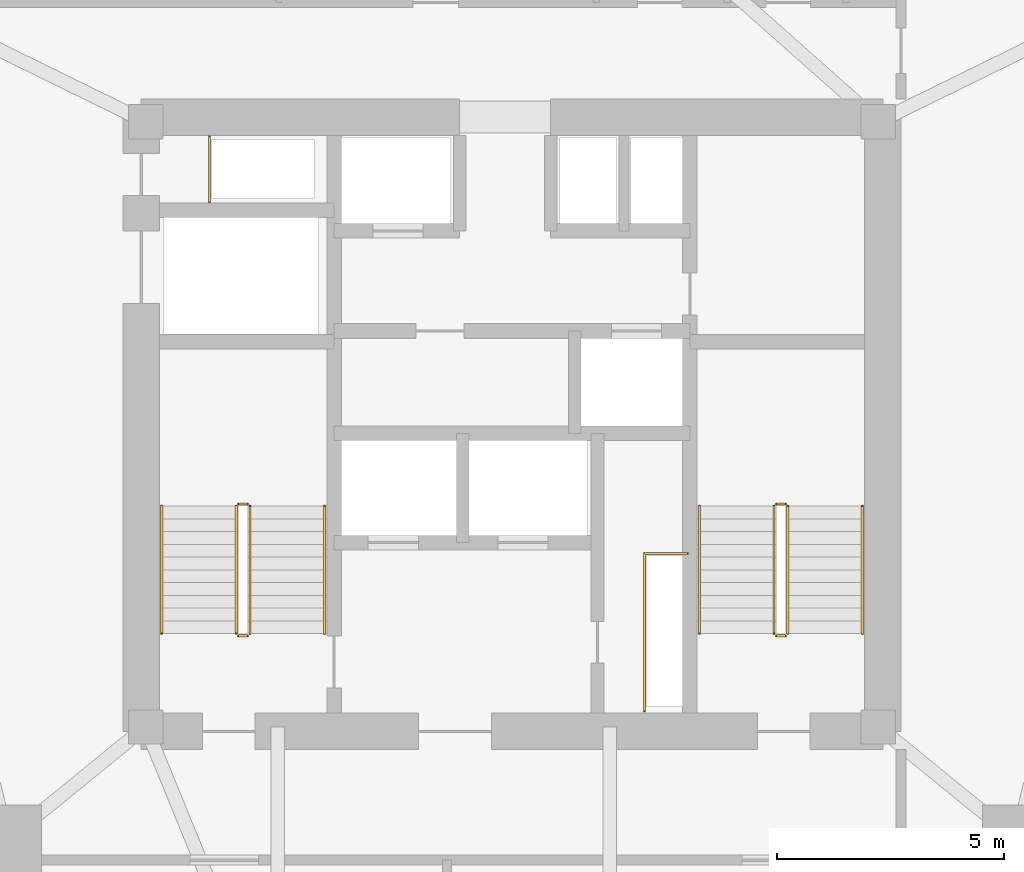
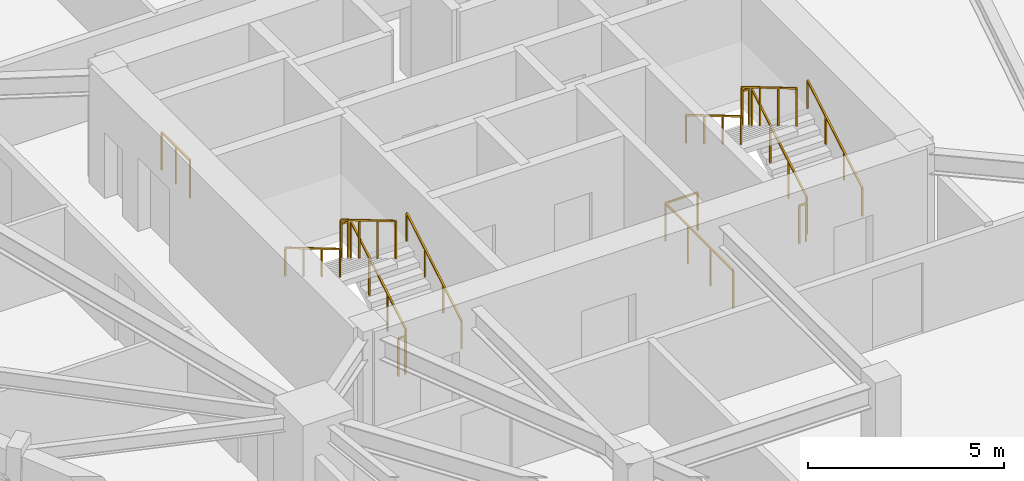
# One storey, part 14 of 14: 14 railings.
"""IFC4 building model written with IfcOpenShell, lengths in metres."""

from ifc_helpers import new_model, si_unit, direction, frame, origin, origin_2d, place, context, subcontext, project, spatial, rectangle, extrude, material, type_object, element, save


model = new_model("IFC4")

# Units and contexts
model_context = context("Model", 3, precision=1e-05, world=origin(), true_north=direction((0.0, 1.0)))
body_context = subcontext(model_context, "Body", "Model", "MODEL_VIEW")
ifc_project = project(units=[si_unit("LENGTHUNIT", "METRE"), si_unit("AREAUNIT", "SQUARE_METRE"), si_unit("VOLUMEUNIT", "CUBIC_METRE"), si_unit("PLANEANGLEUNIT", "RADIAN"), si_unit("MASSUNIT", "GRAM", prefix="KILO")], contexts=[model_context])

# Site, building, storey
site_placement = place(None, origin())
site = spatial("IfcSite", under=ifc_project, at=site_placement, CompositionType="ELEMENT")
building_placement = place(site_placement, origin())
building = spatial("IfcBuilding", under=site, at=building_placement, Name="Talyreon Biosciences Tower", CompositionType="ELEMENT")
storey_placement = place(building_placement, frame((0.0, 0.0, 141.800048828125)))
storey = spatial("IfcBuildingStorey", under=building, at=storey_placement, Name="L37", CompositionType="ELEMENT", Elevation=141.800048828125)

# Railings
ifc_material_1 = material(Name="Brushed stainless-steel tubular handrail", Category="steel")
railing_type_1 = type_object("IfcRailingType", Name="StairWallHandrail_900", PredefinedType="HANDRAIL", material=ifc_material_1)
railing_1_placement = place(storey_placement, frame((61.8798828125, 63.39990234375, 0.165771484375)))
element("IfcRailing", 1, at=railing_1_placement, inside=storey, type_object=railing_type_1, Name="L37 ST-1 stair handrail 1", PredefinedType="HANDRAIL", context=body_context, shape_type="SweptSolid", body=[
    extrude(rectangle(XDim=0.048095703125, YDim=0.048095703125, at=origin_2d()), frame((0.0, 0.0, 0.8759765625), z_axis=(0.0, 0.860306154799, 0.50977771628), x_axis=(-1.0, 0.0, 0.0)), (0.0, 0.0, 1.0), 3.254638671875),
    extrude(rectangle(XDim=0.0419921875, YDim=0.0419921875, at=origin_2d()), origin(), (0.0, 0.0, 1.0), 0.851806640625),
    extrude(rectangle(XDim=0.0419921875, YDim=0.0419921875, at=origin_2d()), frame((0.0, 0.933349609375, 0.552978515625)), (0.0, 0.0, 1.0), 0.851806640625),
    extrude(rectangle(XDim=0.0419921875, YDim=0.0419921875, at=origin_2d()), frame((0.0, 1.86669921875, 1.106201171875)), (0.0, 0.0, 1.0), 0.851806640625),
    extrude(rectangle(XDim=0.0419921875, YDim=0.0419921875, at=origin_2d()), frame((0.0, 2.800048828125, 1.6591796875)), (0.0, 0.0, 1.0), 0.851806640625),
])
railing_2_placement = place(storey_placement, frame((58.300048828125, 66.199951171875, 1.990966796875)))
element("IfcRailing", 2, at=railing_2_placement, inside=storey, type_object=railing_type_1, Name="L37 ST-1 stair handrail 2", PredefinedType="HANDRAIL", context=body_context, shape_type="SweptSolid", body=[
    extrude(rectangle(XDim=0.048095703125, YDim=0.048095703125, at=origin_2d()), frame((0.0, 0.0, 0.8759765625), z_axis=(0.0, -0.860339051648, 0.50972219513), x_axis=(1.0, 0.0, 0.0)), (0.0, 0.0, 1.0), 3.254638671875),
    extrude(rectangle(XDim=0.0419921875, YDim=0.0419921875, at=origin_2d()), origin(), (0.0, 0.0, 1.0), 0.851806640625),
    extrude(rectangle(XDim=0.0419921875, YDim=0.0419921875, at=origin_2d()), frame((0.0, -0.933349609375, 0.552978515625)), (0.0, 0.0, 1.0), 0.851806640625),
    extrude(rectangle(XDim=0.0419921875, YDim=0.0419921875, at=origin_2d()), frame((0.0, -1.86669921875, 1.10595703125)), (0.0, 0.0, 1.0), 0.851806640625),
    extrude(rectangle(XDim=0.0419921875, YDim=0.0419921875, at=origin_2d()), frame((0.0, -2.800048828125, 1.658935546875)), (0.0, 0.0, 1.0), 0.851806640625),
])
railing_3_placement = place(storey_placement, frame((73.699951171875, 63.39990234375, 0.165771484375)))
element("IfcRailing", 3, at=railing_3_placement, inside=storey, type_object=railing_type_1, Name="L37 ST-2 stair handrail 1", PredefinedType="HANDRAIL", context=body_context, shape_type="SweptSolid", body=[
    extrude(rectangle(XDim=0.048095703125, YDim=0.048095703125, at=origin_2d()), frame((0.0, 0.0, 0.8759765625), z_axis=(0.0, 0.860306154799, 0.50977771628), x_axis=(-1.0, 0.0, 0.0)), (0.0, 0.0, 1.0), 3.254638671875),
    extrude(rectangle(XDim=0.0419921875, YDim=0.0419921875, at=origin_2d()), origin(), (0.0, 0.0, 1.0), 0.851806640625),
    extrude(rectangle(XDim=0.0419921875, YDim=0.0419921875, at=origin_2d()), frame((0.0, 0.933349609375, 0.552978515625)), (0.0, 0.0, 1.0), 0.851806640625),
    extrude(rectangle(XDim=0.0419921875, YDim=0.0419921875, at=origin_2d()), frame((0.0, 1.86669921875, 1.106201171875)), (0.0, 0.0, 1.0), 0.851806640625),
    extrude(rectangle(XDim=0.0419921875, YDim=0.0419921875, at=origin_2d()), frame((0.0, 2.800048828125, 1.6591796875)), (0.0, 0.0, 1.0), 0.851806640625),
])
railing_4_placement = place(storey_placement, frame((70.1201171875, 66.199951171875, 1.990966796875)))
element("IfcRailing", 4, at=railing_4_placement, inside=storey, type_object=railing_type_1, Name="L37 ST-2 stair handrail 2", PredefinedType="HANDRAIL", context=body_context, shape_type="SweptSolid", body=[
    extrude(rectangle(XDim=0.048095703125, YDim=0.048095703125, at=origin_2d()), frame((0.0, 0.0, 0.8759765625), z_axis=(0.0, -0.860339051648, 0.50972219513), x_axis=(1.0, 0.0, 0.0)), (0.0, 0.0, 1.0), 3.254638671875),
    extrude(rectangle(XDim=0.0419921875, YDim=0.0419921875, at=origin_2d()), origin(), (0.0, 0.0, 1.0), 0.851806640625),
    extrude(rectangle(XDim=0.0419921875, YDim=0.0419921875, at=origin_2d()), frame((0.0, -0.933349609375, 0.552978515625)), (0.0, 0.0, 1.0), 0.851806640625),
    extrude(rectangle(XDim=0.0419921875, YDim=0.0419921875, at=origin_2d()), frame((0.0, -1.86669921875, 1.10595703125)), (0.0, 0.0, 1.0), 0.851806640625),
    extrude(rectangle(XDim=0.0419921875, YDim=0.0419921875, at=origin_2d()), frame((0.0, -2.800048828125, 1.658935546875)), (0.0, 0.0, 1.0), 0.851806640625),
])
ifc_material_2 = material(Name="Painted galvanised steel post-and-rail balustrade", Category="steel")
railing_type_2 = type_object("IfcRailingType", Name="TerraceStairGuard_1200", PredefinedType="GUARDRAIL", material=ifc_material_2)
railing_5_placement = place(storey_placement, frame((60.239990234375, 63.39990234375, 0.165771484375)))
element("IfcRailing", 5, at=railing_5_placement, inside=storey, type_object=railing_type_2, Name="L37 ST-1 stair guard 1", PredefinedType="GUARDRAIL", context=body_context, shape_type="SweptSolid", body=[
    extrude(rectangle(XDim=0.048095703125, YDim=0.048095703125, at=origin_2d()), frame((0.0, 0.0, 1.17578125), z_axis=(0.0, 0.860306154799, 0.50977771628), x_axis=(-1.0, 0.0, 0.0)), (0.0, 0.0, 1.0), 3.254638671875),
    extrude(rectangle(XDim=0.0419921875, YDim=0.0419921875, at=origin_2d()), origin(), (0.0, 0.0, 1.0), 1.15185546875),
    extrude(rectangle(XDim=0.0419921875, YDim=0.0419921875, at=origin_2d()), frame((0.0, 0.933349609375, 0.552978515625)), (0.0, 0.0, 1.0), 1.15185546875),
    extrude(rectangle(XDim=0.0419921875, YDim=0.0419921875, at=origin_2d()), frame((0.0, 1.86669921875, 1.106201171875)), (0.0, 0.0, 1.0), 1.15185546875),
    extrude(rectangle(XDim=0.0419921875, YDim=0.0419921875, at=origin_2d()), frame((0.0, 2.800048828125, 1.6591796875)), (0.0, 0.0, 1.0), 1.15185546875),
])
railing_6_placement = place(storey_placement, frame((60.18994140625, 66.25, 1.824951171875)))
element("IfcRailing", 6, at=railing_6_placement, inside=storey, type_object=railing_type_2, Name="L37 ST-1 stair guard 2", PredefinedType="GUARDRAIL", context=body_context, shape_type="SweptSolid", body=[
    extrude(rectangle(XDim=0.048095703125, YDim=0.048095703125, at=origin_2d()), frame((0.0, 0.0, 1.17578125), z_axis=(-1.0, 0.0, 0.0), x_axis=(0.0, -1.0, 0.0)), (0.0, 0.0, 1.0), 0.199951171875),
    extrude(rectangle(XDim=0.0419921875, YDim=0.0419921875, at=origin_2d()), origin(), (0.0, 0.0, 1.0), 1.15185546875),
    extrude(rectangle(XDim=0.0419921875, YDim=0.0419921875, at=origin_2d()), frame((-0.199951171875, 0.0, 0.0)), (0.0, 0.0, 1.0), 1.15185546875),
])
railing_7_placement = place(storey_placement, frame((59.93994140625, 66.199951171875, 1.990966796875)))
element("IfcRailing", 7, at=railing_7_placement, inside=storey, type_object=railing_type_2, Name="L37 ST-1 stair guard 3", PredefinedType="GUARDRAIL", context=body_context, shape_type="SweptSolid", body=[
    extrude(rectangle(XDim=0.048095703125, YDim=0.048095703125, at=origin_2d()), frame((0.0, 0.0, 1.17578125), z_axis=(0.0, -0.860339051648, 0.50972219513), x_axis=(1.0, 0.0, 0.0)), (0.0, 0.0, 1.0), 3.254638671875),
    extrude(rectangle(XDim=0.0419921875, YDim=0.0419921875, at=origin_2d()), origin(), (0.0, 0.0, 1.0), 1.15185546875),
    extrude(rectangle(XDim=0.0419921875, YDim=0.0419921875, at=origin_2d()), frame((0.0, -0.933349609375, 0.552978515625)), (0.0, 0.0, 1.0), 1.15185546875),
    extrude(rectangle(XDim=0.0419921875, YDim=0.0419921875, at=origin_2d()), frame((0.0, -1.86669921875, 1.10595703125)), (0.0, 0.0, 1.0), 1.15185546875),
    extrude(rectangle(XDim=0.0419921875, YDim=0.0419921875, at=origin_2d()), frame((0.0, -2.800048828125, 1.658935546875)), (0.0, 0.0, 1.0), 1.15185546875),
])
railing_8_placement = place(storey_placement, frame((60.18994140625, 63.35009765625, 0.0)))
element("IfcRailing", 8, at=railing_8_placement, inside=storey, type_object=railing_type_2, Name="L37 ST-1 stair guard 4", PredefinedType="GUARDRAIL", context=body_context, shape_type="SweptSolid", body=[
    extrude(rectangle(XDim=0.048095703125, YDim=0.048095703125, at=origin_2d()), frame((0.0, 0.0, 1.17578125), z_axis=(-1.0, 0.0, 0.0), x_axis=(0.0, -1.0, 0.0)), (0.0, 0.0, 1.0), 0.199951171875),
    extrude(rectangle(XDim=0.0419921875, YDim=0.0419921875, at=origin_2d()), origin(), (0.0, 0.0, 1.0), 1.15185546875),
    extrude(rectangle(XDim=0.0419921875, YDim=0.0419921875, at=origin_2d()), frame((-0.199951171875, 0.0, 0.0)), (0.0, 0.0, 1.0), 1.15185546875),
])
railing_9_placement = place(storey_placement, frame((72.06005859375, 63.39990234375, 0.165771484375)))
element("IfcRailing", 9, at=railing_9_placement, inside=storey, type_object=railing_type_2, Name="L37 ST-2 stair guard 1", PredefinedType="GUARDRAIL", context=body_context, shape_type="SweptSolid", body=[
    extrude(rectangle(XDim=0.048095703125, YDim=0.048095703125, at=origin_2d()), frame((0.0, 0.0, 1.17578125), z_axis=(0.0, 0.860306154799, 0.50977771628), x_axis=(-1.0, 0.0, 0.0)), (0.0, 0.0, 1.0), 3.254638671875),
    extrude(rectangle(XDim=0.0419921875, YDim=0.0419921875, at=origin_2d()), origin(), (0.0, 0.0, 1.0), 1.15185546875),
    extrude(rectangle(XDim=0.0419921875, YDim=0.0419921875, at=origin_2d()), frame((0.0, 0.933349609375, 0.552978515625)), (0.0, 0.0, 1.0), 1.15185546875),
    extrude(rectangle(XDim=0.0419921875, YDim=0.0419921875, at=origin_2d()), frame((0.0, 1.86669921875, 1.106201171875)), (0.0, 0.0, 1.0), 1.15185546875),
    extrude(rectangle(XDim=0.0419921875, YDim=0.0419921875, at=origin_2d()), frame((0.0, 2.800048828125, 1.6591796875)), (0.0, 0.0, 1.0), 1.15185546875),
])
railing_10_placement = place(storey_placement, frame((72.010009765625, 66.25, 1.824951171875)))
element("IfcRailing", 10, at=railing_10_placement, inside=storey, type_object=railing_type_2, Name="L37 ST-2 stair guard 2", PredefinedType="GUARDRAIL", context=body_context, shape_type="SweptSolid", body=[
    extrude(rectangle(XDim=0.048095703125, YDim=0.048095703125, at=origin_2d()), frame((0.0, 0.0, 1.17578125), z_axis=(-1.0, 0.0, 0.0), x_axis=(0.0, -1.0, 0.0)), (0.0, 0.0, 1.0), 0.199951171875),
    extrude(rectangle(XDim=0.0419921875, YDim=0.0419921875, at=origin_2d()), origin(), (0.0, 0.0, 1.0), 1.15185546875),
    extrude(rectangle(XDim=0.0419921875, YDim=0.0419921875, at=origin_2d()), frame((-0.199951171875, 0.0, 0.0)), (0.0, 0.0, 1.0), 1.15185546875),
])
railing_11_placement = place(storey_placement, frame((71.760009765625, 66.199951171875, 1.990966796875)))
element("IfcRailing", 11, at=railing_11_placement, inside=storey, type_object=railing_type_2, Name="L37 ST-2 stair guard 3", PredefinedType="GUARDRAIL", context=body_context, shape_type="SweptSolid", body=[
    extrude(rectangle(XDim=0.048095703125, YDim=0.048095703125, at=origin_2d()), frame((0.0, 0.0, 1.17578125), z_axis=(0.0, -0.860339051648, 0.50972219513), x_axis=(1.0, 0.0, 0.0)), (0.0, 0.0, 1.0), 3.254638671875),
    extrude(rectangle(XDim=0.0419921875, YDim=0.0419921875, at=origin_2d()), origin(), (0.0, 0.0, 1.0), 1.15185546875),
    extrude(rectangle(XDim=0.0419921875, YDim=0.0419921875, at=origin_2d()), frame((0.0, -0.933349609375, 0.552978515625)), (0.0, 0.0, 1.0), 1.15185546875),
    extrude(rectangle(XDim=0.0419921875, YDim=0.0419921875, at=origin_2d()), frame((0.0, -1.86669921875, 1.10595703125)), (0.0, 0.0, 1.0), 1.15185546875),
    extrude(rectangle(XDim=0.0419921875, YDim=0.0419921875, at=origin_2d()), frame((0.0, -2.800048828125, 1.658935546875)), (0.0, 0.0, 1.0), 1.15185546875),
])
railing_12_placement = place(storey_placement, frame((72.010009765625, 63.35009765625, 0.0)))
element("IfcRailing", 12, at=railing_12_placement, inside=storey, type_object=railing_type_2, Name="L37 ST-2 stair guard 4", PredefinedType="GUARDRAIL", context=body_context, shape_type="SweptSolid", body=[
    extrude(rectangle(XDim=0.048095703125, YDim=0.048095703125, at=origin_2d()), frame((0.0, 0.0, 1.17578125), z_axis=(-1.0, 0.0, 0.0), x_axis=(0.0, -1.0, 0.0)), (0.0, 0.0, 1.0), 0.199951171875),
    extrude(rectangle(XDim=0.0419921875, YDim=0.0419921875, at=origin_2d()), origin(), (0.0, 0.0, 1.0), 1.15185546875),
    extrude(rectangle(XDim=0.0419921875, YDim=0.0419921875, at=origin_2d()), frame((-0.199951171875, 0.0, 0.0)), (0.0, 0.0, 1.0), 1.15185546875),
])
railing_13_placement = place(storey_placement, frame((59.35009765625, 72.8798828125, 0.0)))
element("IfcRailing", 13, at=railing_13_placement, inside=storey, type_object=railing_type_2, Name="L37 Exhaust Riser Maintenance Guardrail", PredefinedType="GUARDRAIL", context=body_context, shape_type="SweptSolid", body=[
    extrude(rectangle(XDim=0.048095703125, YDim=0.048095703125, at=origin_2d()), frame((0.0, 0.0, 1.17578125), z_axis=(0.0, 1.0, 0.0), x_axis=(-1.0, 0.0, 0.0)), (0.0, 0.0, 1.0), 1.4501953125),
    extrude(rectangle(XDim=0.0419921875, YDim=0.0419921875, at=origin_2d()), origin(), (0.0, 0.0, 1.0), 1.15185546875),
    extrude(rectangle(XDim=0.0419921875, YDim=0.0419921875, at=origin_2d()), frame((0.0, 0.72509765625, 0.0)), (0.0, 0.0, 1.0), 1.15185546875),
    extrude(rectangle(XDim=0.0419921875, YDim=0.0419921875, at=origin_2d()), frame((0.0, 1.4501953125, 0.0)), (0.0, 0.0, 1.0), 1.15185546875),
])
railing_14_placement = place(storey_placement, frame((68.909912109375, 61.699951171875, 0.0)))
element("IfcRailing", 14, at=railing_14_placement, inside=storey, type_object=railing_type_2, Name="L37 Electrical Riser Maintenance Guardrail", PredefinedType="GUARDRAIL", context=body_context, shape_type="SweptSolid", body=[
    extrude(rectangle(XDim=0.048095703125, YDim=0.048095703125, at=origin_2d()), frame((0.0, 0.0, 1.17578125), z_axis=(0.0, 1.0, 0.0), x_axis=(-1.0, 0.0, 0.0)), (0.0, 0.0, 1.0), 3.4599609375),
    extrude(rectangle(XDim=0.048095703125, YDim=0.048095703125, at=origin_2d()), frame((0.0, 3.4599609375, 1.17578125), z_axis=(1.0, 0.0, 0.0), x_axis=(0.0, 1.0, 0.0)), (0.0, 0.0, 1.0), 0.9501953125),
    extrude(rectangle(XDim=0.0419921875, YDim=0.0419921875, at=origin_2d()), origin(), (0.0, 0.0, 1.0), 1.15185546875),
    extrude(rectangle(XDim=0.0419921875, YDim=0.0419921875, at=origin_2d()), frame((0.0, 1.1533203125, 0.0)), (0.0, 0.0, 1.0), 1.15185546875),
    extrude(rectangle(XDim=0.0419921875, YDim=0.0419921875, at=origin_2d()), frame((0.0, 2.306640625, 0.0)), (0.0, 0.0, 1.0), 1.15185546875),
    extrude(rectangle(XDim=0.0419921875, YDim=0.0419921875, at=origin_2d()), frame((0.0, 3.4599609375, 0.0)), (0.0, 0.0, 1.0), 1.15185546875),
    extrude(rectangle(XDim=0.0419921875, YDim=0.0419921875, at=origin_2d()), frame((0.9501953125, 3.4599609375, 0.0)), (0.0, 0.0, 1.0), 1.15185546875),
])

save(model, "model.ifc")
